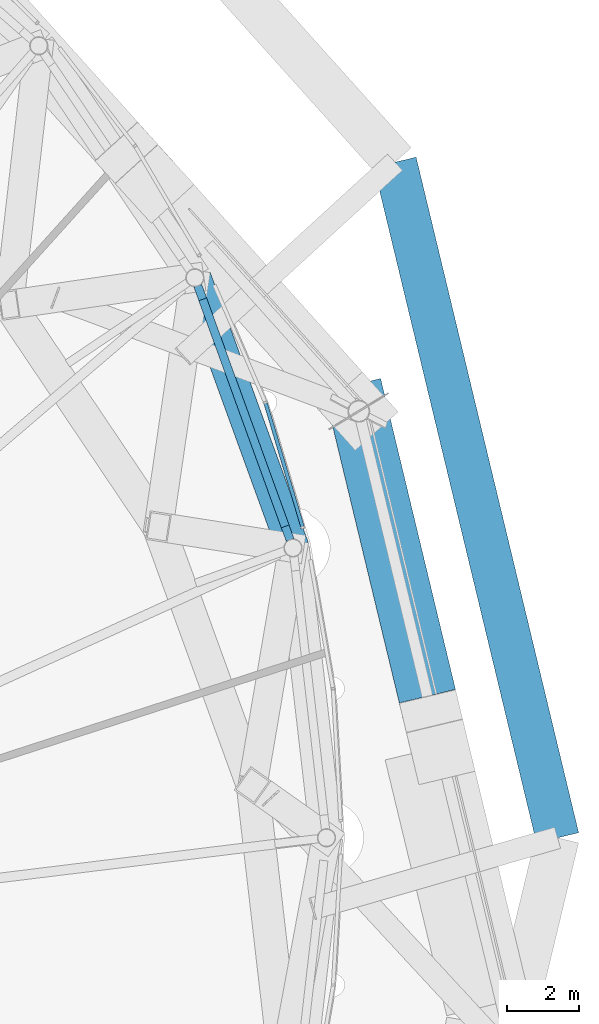
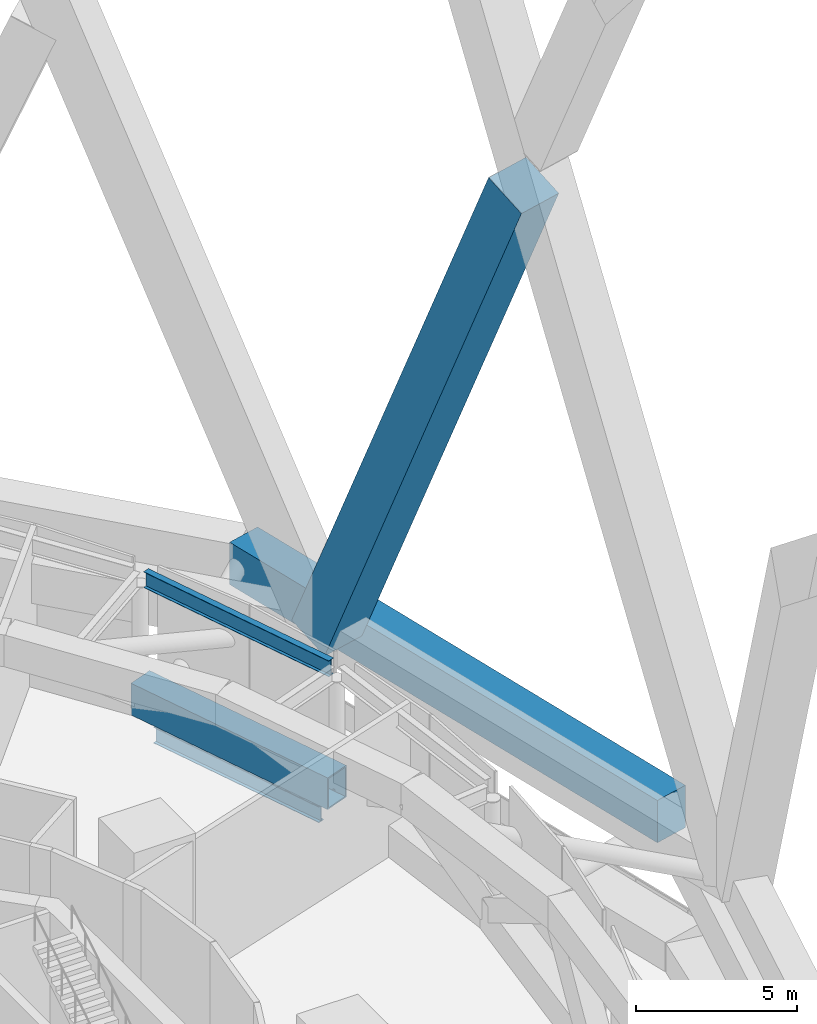
# One storey, part 33 of 65: 3 beams, 3 members, 1 element without a shape of its own.
"""IFC4 building model written with IfcOpenShell, lengths in metres."""

from ifc_helpers import new_model, si_unit, direction, frame, origin, origin_2d, place, context, subcontext, project, spatial, rectangle, hollow_rectangle, i_section, extrude, material, layer, layer_set, material_profile, profile_set, type_object, element, aggregate, save


model = new_model("IFC4")

# Units and contexts
model_context = context("Model", 3, precision=1e-05, world=origin(), true_north=direction((0.0, 1.0)))
body_context = subcontext(model_context, "Body", "Model", "MODEL_VIEW")
ifc_project = project(units=[si_unit("LENGTHUNIT", "METRE"), si_unit("AREAUNIT", "SQUARE_METRE"), si_unit("VOLUMEUNIT", "CUBIC_METRE"), si_unit("PLANEANGLEUNIT", "RADIAN"), si_unit("MASSUNIT", "GRAM", prefix="KILO")], contexts=[model_context])

# Site, building, storey
site_placement = place(None, origin())
site = spatial("IfcSite", under=ifc_project, at=site_placement, CompositionType="ELEMENT")
building_placement = place(site_placement, origin())
building = spatial("IfcBuilding", under=site, at=building_placement, Name="Nagisa Residences", CompositionType="ELEMENT")
storey_placement = place(building_placement, frame((0.0, 0.0, 114.0)))
storey = spatial("IfcBuildingStorey", under=building, at=storey_placement, Name="L28", CompositionType="ELEMENT", Elevation=114.0)

# Beam
ifc_material_1 = material(Name="Steel ASTM A572 Gr 50", Category="steel")
ifc_material_profile_1 = material_profile(ifc_material_1, hollow_rectangle(XDim=0.89990234375, YDim=1.199951171875, WallThickness=0.050048828125, at=origin_2d()), Name="BX 900x1200x50")
ifc_profile_set_1 = profile_set([ifc_material_profile_1], Name="Steel ASTM A572 Gr 50")
beam_type_1 = type_object("IfcBeamType", Name="Belt chord 2 BX 900x1200x50", PredefinedType="BEAM", material=ifc_profile_set_1)
beam_1_placement = place(storey_placement, frame((24.46826171875, 11.14501953125, 0.60009765625), z_axis=(-0.341378490928, 0.939925915129, 0.0), x_axis=(-0.939925915129, -0.341378490928, 0.0)))
element("IfcBeam", 1, at=beam_1_placement, inside=storey, type_object=beam_type_1, Name="beam:L28:bt2b02", PredefinedType="BEAM", context=body_context, shape_type="SweptSolid", body=[
    extrude(hollow_rectangle(XDim=0.89990234375, YDim=1.199951171875, WallThickness=0.050048828125, at=origin_2d()), origin(), (0.0, 0.0, 1.0), 7.958251953125),
])

# Curtain wall, member
ifc_material_2 = material(Name="Aluminium curtain wall system", Category="aluminium")
ifc_layer = layer(ifc_material_2, 0.159912109375)
ifc_layer_set = layer_set([ifc_layer], Name="CW5 CURTAIN WALL")
curtain_wall_type = type_object("IfcCurtainWallType", Name="CW5 CURTAIN WALL", PredefinedType="NOTDEFINED", material=ifc_layer_set)
curtain_wall_placement = place(storey_placement, origin())
curtain_wall = element("IfcCurtainWall", 2, at=curtain_wall_placement, inside=storey, type_object=curtain_wall_type, Name="cw:CW5:L28:02", PredefinedType="NOTDEFINED")
ifc_material_3 = material(Name="Aluminium", Category="aluminium")
ifc_material_profile_2 = material_profile(ifc_material_3, rectangle(XDim=0.10009765625, YDim=0.1201171875, at=origin_2d()), Name="CW5 TRANSOM 100x120")
ifc_profile_set_2 = profile_set([ifc_material_profile_2], Name="Aluminium")
member_type_1 = type_object("IfcMemberType", Name="CW5 TRANSOM 100x120", PredefinedType="USERDEFINED", material=ifc_profile_set_2)
member_1_placement = place(storey_placement, frame((24.74609375, 11.6826171875, 0.06005859375), z_axis=(-0.285870248444, 0.958268334578, 0.0), x_axis=(-0.958268334578, -0.285870248444, 0.0)))
member_1 = element("IfcMember", 3, at=member_1_placement, type_object=member_type_1, Name="CW5 transom", ObjectType="TRANSOM", PredefinedType="USERDEFINED", context=body_context, shape_type="SweptSolid", body=[
    extrude(rectangle(XDim=0.10009765625, YDim=0.1201171875, at=origin_2d()), origin(), (0.0, 0.0, 1.0), 3.62353515625),
])
aggregate(curtain_wall, [member_1])

# Members
ifc_material_4 = material(Name="Concrete C80", Category="concrete")
ifc_material_profile_3 = material_profile(ifc_material_4, rectangle(XDim=1.60009765625, YDim=1.60009765625, at=origin_2d()), Name="C80 1600x1600")
ifc_profile_set_3 = profile_set([ifc_material_profile_3], Name="Concrete C80")
member_type_2 = type_object("IfcMemberType", Name="Cage diagonal 3 C80 1600x1600", PredefinedType="BRACE", material=ifc_profile_set_3)
member_2_placement = place(storey_placement, frame((26.28955078125, 14.9296875, 3.699951171875), z_axis=(0.090120264696, -0.374299994674, 0.922918117645), x_axis=(0.972217131243, 0.234080861492, 0.0)))
element("IfcMember", 4, at=member_2_placement, inside=storey, type_object=member_type_2, Name="mem:L28:cg3d002a", PredefinedType="BRACE", context=body_context, shape_type="SweptSolid", body=[
    extrude(rectangle(XDim=1.60009765625, YDim=1.60009765625, at=origin_2d()), origin(), (0.0, 0.0, 1.0), 23.002685546875),
])
ifc_material_5 = material(Name="Concrete C80", Category="concrete")
ifc_material_profile_4 = material_profile(ifc_material_5, rectangle(XDim=1.199951171875, YDim=1.60009765625, at=origin_2d()), Name="C80 1200x1600")
ifc_profile_set_4 = profile_set([ifc_material_profile_4], Name="Concrete C80")
member_type_3 = type_object("IfcMemberType", Name="Cage ring 2 C80 1200x1600", PredefinedType="CHORD", material=ifc_profile_set_4)
member_3_placement = place(storey_placement, frame((31.794921875, 3.11767578125, 1.89990234375), z_axis=(-0.233909916693, 0.972258273749, 0.0), x_axis=(-0.972258273749, -0.233909916693, 0.0)))
element("IfcMember", 5, at=member_3_placement, inside=storey, type_object=member_type_3, Name="beam:L28:cg2r101", PredefinedType="CHORD", context=body_context, shape_type="SweptSolid", body=[
    extrude(rectangle(XDim=1.199951171875, YDim=1.60009765625, at=origin_2d()), origin(), (0.0, 0.0, 1.0), 19.2412109375),
])

# Beams
ifc_material_6 = material(Name="Steel ASTM A572 Gr 50", Category="steel")
ifc_material_profile_5 = material_profile(ifc_material_6, i_section(OverallWidth=0.22802734375, OverallDepth=0.60302734375, WebThickness=0.010498046875, FlangeThickness=0.014892578125, at=origin_2d()), Name="W610x101")
ifc_profile_set_5 = profile_set([ifc_material_profile_5], Name="Steel ASTM A572 Gr 50")
beam_type_2 = type_object("IfcBeamType", Name="Garden edge beam W610x101", PredefinedType="BEAM", material=ifc_profile_set_5)
beam_2_placement = place(storey_placement, frame((24.388427734375, 11.364990234375, 5.03857421875), z_axis=(-0.341363557603, 0.939931338737, 0.0), x_axis=(-0.939931338737, -0.341363557603, 0.0)))
element("IfcBeam", 6, at=beam_2_placement, inside=storey, type_object=beam_type_2, Name="beam:L28:bt2ge02", PredefinedType="BEAM", context=body_context, shape_type="SweptSolid", body=[
    extrude(i_section(OverallWidth=0.22802734375, OverallDepth=0.60302734375, WebThickness=0.010498046875, FlangeThickness=0.014892578125, at=origin_2d()), origin(), (0.0, 0.0, 1.0), 7.490234375),
])
ifc_material_7 = material(Name="Steel ASTM A572 Gr 50", Category="steel")
ifc_material_profile_6 = material_profile(ifc_material_7, i_section(OverallWidth=0.22900390625, OverallDepth=0.612060546875, WebThickness=0.011962890625, FlangeThickness=0.01953125, at=origin_2d()), Name="W610x125")
ifc_profile_set_6 = profile_set([ifc_material_profile_6], Name="Steel ASTM A572 Gr 50")
beam_type_3 = type_object("IfcBeamType", Name="Perimeter ring beam W610x125", PredefinedType="BEAM", material=ifc_profile_set_6)
beam_3_placement = place(storey_placement, frame((24.251708984375, 11.7412109375, -0.656005859375), z_axis=(-0.341365002286, 0.939930814057, 0.0), x_axis=(-0.939930814057, -0.341365002286, 0.0)))
element("IfcBeam", 7, at=beam_3_placement, inside=storey, type_object=beam_type_3, Name="beam:L28:pb02", PredefinedType="BEAM", context=body_context, shape_type="SweptSolid", body=[
    extrude(i_section(OverallWidth=0.22900390625, OverallDepth=0.612060546875, WebThickness=0.011962890625, FlangeThickness=0.01953125, at=origin_2d()), origin(), (0.0, 0.0, 1.0), 6.689208984375),
])

save(model, "model.ifc")
